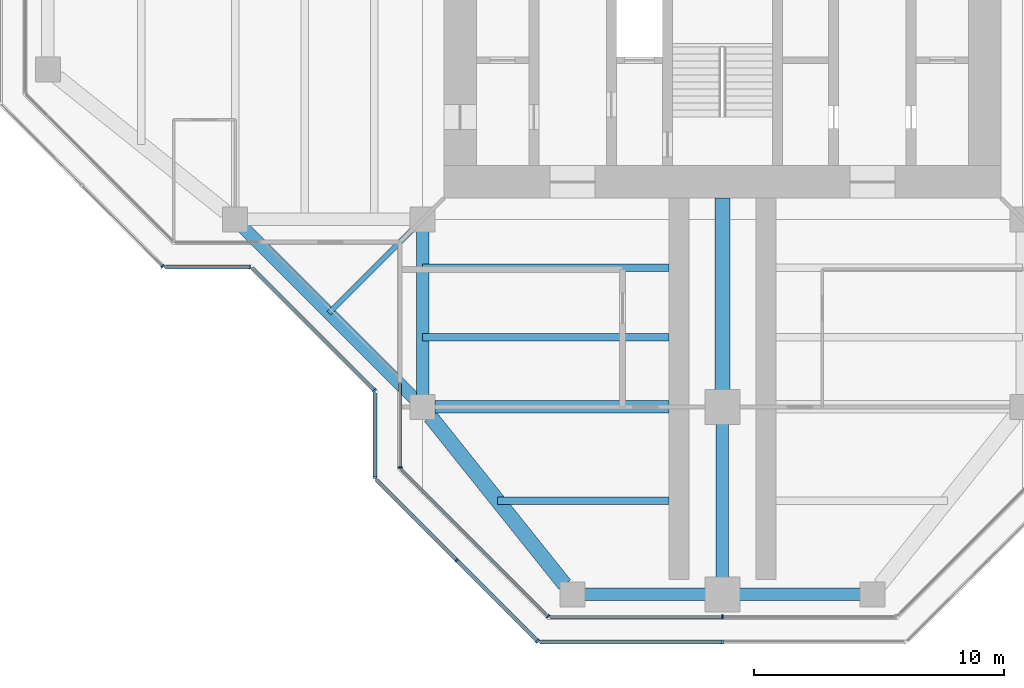
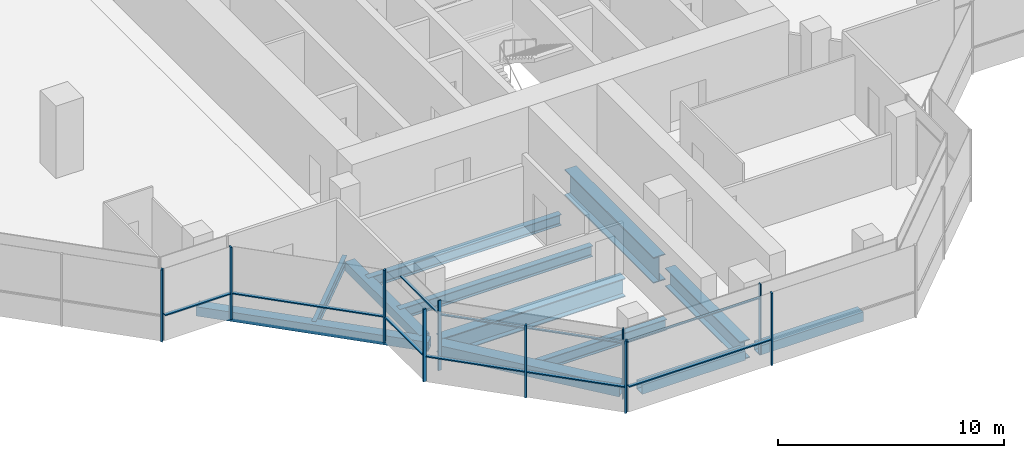
# One storey, part 2 of 15: 19 members, 12 beams, 9 elements without a shape of their own.
"""IFC4 building model written with IfcOpenShell, lengths in metres."""

from ifc_helpers import new_model, si_unit, direction, frame, origin, origin_2d, place, context, subcontext, project, spatial, rectangle, hollow_rectangle, i_section, extrude, material, material_profile, profile_set, type_object, element, aggregate, save


model = new_model("IFC4")

# Units and contexts
model_context = context("Model", 3, precision=1e-05, world=origin(), true_north=direction((0.0, 1.0)))
body_context = subcontext(model_context, "Body", "Model", "MODEL_VIEW")
ifc_project = project(units=[si_unit("LENGTHUNIT", "METRE"), si_unit("AREAUNIT", "SQUARE_METRE"), si_unit("VOLUMEUNIT", "CUBIC_METRE"), si_unit("PLANEANGLEUNIT", "RADIAN"), si_unit("MASSUNIT", "GRAM", prefix="KILO")], contexts=[model_context])

# Site, building, storey
site_placement = place(None, origin())
site = spatial("IfcSite", under=ifc_project, at=site_placement, CompositionType="ELEMENT")
building_placement = place(site_placement, origin())
building = spatial("IfcBuilding", under=site, at=building_placement, Name="Mizan Broadcast Tower", CompositionType="ELEMENT")
storey_placement = place(building_placement, frame((0.0, 0.0, 286.800048828125)))
storey = spatial("IfcBuildingStorey", under=building, at=storey_placement, Name="L68", CompositionType="ELEMENT", Elevation=286.800048828125)

# Beams
ifc_material_1 = material(Name="Steel S355", Category="steel")
ifc_material_profile_1 = material_profile(ifc_material_1, hollow_rectangle(XDim=0.5, YDim=0.5, WallThickness=0.030029296875, at=origin_2d()), Name="BOX 500x500x30")
ifc_profile_set_1 = profile_set([ifc_material_profile_1], Name="Steel S355")
beam_type_1 = type_object("IfcBeamType", Name="EDGE BEAM BOX 500x500x30", PredefinedType="SPANDREL", material=ifc_profile_set_1)
beam_1_placement = place(storey_placement, frame((-12.0, -12.449951171875, -0.380126953125), z_axis=(0.0, -1.0, 0.0), x_axis=(1.0, 0.0, 0.0)))
element("IfcBeam", 1, at=beam_1_placement, inside=storey, type_object=beam_type_1, Name="Edge beam BOX 500x500x30 L68 south arm", PredefinedType="SPANDREL", context=body_context, shape_type="SweptSolid", body=[
    extrude(hollow_rectangle(XDim=0.5, YDim=0.5, WallThickness=0.030029296875, at=origin_2d()), origin(), (0.0, 0.0, 1.0), 6.60009765625),
])
for number, where, z_axis, x_axis, name in (
    (2, (-5.639892578125, -27.0, -0.380126953125), (1.0, 0.0, 0.0), (0.0, 1.0, 0.0), "Edge beam BOX 500x500x30 L68 south arm"),
    (3, (5.639892578125, -27.0, -0.380126953125), (-1.0, 0.0, 0.0), (0.0, -1.0, 0.0), "Edge beam BOX 500x500x30 L68 south arm"),
):
    element("IfcBeam", number, at=place(storey_placement, frame(where, z_axis=z_axis, x_axis=x_axis)), inside=storey, type_object=beam_type_1, Name=name, PredefinedType="SPANDREL", context=body_context, shape_type="SweptSolid", body=[
        extrude(hollow_rectangle(XDim=0.5, YDim=0.5, WallThickness=0.030029296875, at=origin_2d()), origin(), (0.0, 0.0, 1.0), 5.27978515625),
    ])
beam_2_placement = place(storey_placement, frame((-19.5, -12.0, -0.380126953125), z_axis=(0.707106781187, -0.707106781187, 0.0), x_axis=(0.707106781187, 0.707106781187, 0.0)))
element("IfcBeam", 4, at=beam_2_placement, inside=storey, type_object=beam_type_1, Name="Winter garden edge beam L68 W", PredefinedType="SPANDREL", context=body_context, shape_type="SweptSolid", body=[
    extrude(hollow_rectangle(XDim=0.5, YDim=0.5, WallThickness=0.030029296875, at=origin_2d()), origin(), (0.0, 0.0, 1.0), 10.606689453125),
])
ifc_material_2 = material(Name="Steel S355", Category="steel")
ifc_material_profile_2 = material_profile(ifc_material_2, hollow_rectangle(XDim=0.60009765625, YDim=0.60009765625, WallThickness=0.030029296875, at=origin_2d()), Name="BOX 600x600x30")
ifc_profile_set_2 = profile_set([ifc_material_profile_2], Name="Steel S355")
beam_type_2 = type_object("IfcBeamType", Name="EDGE BEAM BOX 600x600x30", PredefinedType="SPANDREL", material=ifc_profile_set_2)
beam_3_placement = place(storey_placement, frame((-11.687744140625, -19.890380859375, -0.429931640625), z_axis=(0.62470196761, -0.780863273348, 0.0), x_axis=(0.780863273348, 0.62470196761, 0.0)))
element("IfcBeam", 5, at=beam_3_placement, inside=storey, type_object=beam_type_2, Name="Edge beam BOX 600x600x30 L68 south arm", PredefinedType="SPANDREL", context=body_context, shape_type="SweptSolid", body=[
    extrude(hollow_rectangle(XDim=0.60009765625, YDim=0.60009765625, WallThickness=0.030029296875, at=origin_2d()), origin(), (0.0, 0.0, 1.0), 8.60498046875),
])
ifc_material_3 = material(Name="Steel S460", Category="steel")
ifc_material_profile_3 = material_profile(ifc_material_3, i_section(OverallWidth=0.5, OverallDepth=1.0, WebThickness=0.02490234375, FlangeThickness=0.050048828125, at=origin_2d()), Name="WPG 1000x500")
ifc_profile_set_3 = profile_set([ifc_material_profile_3], Name="Steel S460")
beam_type_3 = type_object("IfcBeamType", Name="GIRDER WPG 1000x500", PredefinedType="BEAM", material=ifc_profile_set_3)
beam_4_placement = place(storey_placement, frame((0.0, -19.949951171875, -0.630126953125), z_axis=(0.0, -1.0, 0.0), x_axis=(1.0, 0.0, 0.0)))
element("IfcBeam", 6, at=beam_4_placement, inside=storey, type_object=beam_type_3, Name="Girder WPG 1000x500 L68 south arm", PredefinedType="BEAM", context=body_context, shape_type="SweptSolid", body=[
    extrude(i_section(OverallWidth=0.5, OverallDepth=1.0, WebThickness=0.02490234375, FlangeThickness=0.050048828125, at=origin_2d()), origin(), (0.0, 0.0, 1.0), 6.60009765625),
])
beam_5_placement = place(storey_placement, frame((-11.5, -19.5, -0.630126953125), z_axis=(1.0, 0.0, 0.0), x_axis=(0.0, 1.0, 0.0)))
element("IfcBeam", 7, at=beam_5_placement, inside=storey, type_object=beam_type_3, Name="Girder WPG 1000x500 L68 south arm", PredefinedType="BEAM", context=body_context, shape_type="SweptSolid", body=[
    extrude(i_section(OverallWidth=0.5, OverallDepth=1.0, WebThickness=0.02490234375, FlangeThickness=0.050048828125, at=origin_2d()), origin(), (0.0, 0.0, 1.0), 9.35009765625),
])
ifc_material_4 = material(Name="Steel S460", Category="steel")
ifc_material_profile_4 = material_profile(ifc_material_4, i_section(OverallWidth=0.60009765625, OverallDepth=1.39990234375, WebThickness=0.02490234375, FlangeThickness=0.06005859375, at=origin_2d()), Name="WPG 1400x600")
ifc_profile_set_4 = profile_set([ifc_material_profile_4], Name="Steel S460")
beam_type_4 = type_object("IfcBeamType", Name="GIRDER WPG 1400x600", PredefinedType="BEAM", material=ifc_profile_set_4)
beam_6_placement = place(storey_placement, frame((0.0, -11.14990234375, -0.830078125), z_axis=(0.0, -1.0, 0.0), x_axis=(1.0, 0.0, 0.0)))
element("IfcBeam", 8, at=beam_6_placement, inside=storey, type_object=beam_type_4, Name="Girder WPG 1400x600 L68 south arm", PredefinedType="BEAM", context=body_context, shape_type="SweptSolid", body=[
    extrude(i_section(OverallWidth=0.60009765625, OverallDepth=1.39990234375, WebThickness=0.02490234375, FlangeThickness=0.06005859375, at=origin_2d()), origin(), (0.0, 0.0, 1.0), 7.84912109375),
])

# Curtain wall, member
ifc_material_5 = material(Name="Aluminium framed glazing", Category="aluminium")
curtain_wall_type_1 = type_object("IfcCurtainWallType", Name="INNER SKIN TOP ZONE", PredefinedType="USERDEFINED", material=ifc_material_5)
curtain_wall_1_placement = place(storey_placement, origin())
curtain_wall_1 = element("IfcCurtainWall", 9, at=curtain_wall_1_placement, inside=storey, type_object=curtain_wall_type_1, Name="Inner skin top zone L68 S side", ObjectType="INNER SKIN TOP ZONE", PredefinedType="USERDEFINED")
ifc_material_6 = material(Name="Aluminium, pale anodised", Category="aluminium")
ifc_material_profile_5 = material_profile(ifc_material_6, rectangle(XDim=0.159912109375, YDim=0.06005859375, at=origin_2d()), Name="MULLION 160x60")
ifc_profile_set_5 = profile_set([ifc_material_profile_5], Name="Aluminium, pale anodised")
member_type_1 = type_object("IfcMemberType", Name="INNER SKIN MULLION 60x160", PredefinedType="MULLION", material=ifc_profile_set_5)
member_1_placement = place(storey_placement, frame((-12.89990234375, -21.928466796875, 0.0), z_axis=(0.0, 0.0, 1.0), x_axis=(1.0, 0.0, 0.0)))
member_1 = element("IfcMember", 10, at=member_1_placement, type_object=member_type_1, Name="Inner skin top zone L68 S side mullion 2", PredefinedType="MULLION", context=body_context, shape_type="SweptSolid", body=[
    extrude(rectangle(XDim=0.159912109375, YDim=0.06005859375, at=origin_2d()), origin(), (0.0, 0.0, 1.0), 3.77001953125),
])

curtain_wall_2_placement = place(storey_placement, origin())
curtain_wall_2 = element("IfcCurtainWall", 11, at=curtain_wall_2_placement, inside=storey, type_object=curtain_wall_type_1, Name="Inner skin top zone L68 S chamfer", ObjectType="INNER SKIN TOP ZONE", PredefinedType="USERDEFINED")
member_2_placement = place(storey_placement, frame((-6.979736328125, -27.87890625, 0.0), z_axis=(0.0, 0.0, 1.0), x_axis=(0.707106781187, 0.707106781187, 0.0)))
member_2 = element("IfcMember", 12, at=member_2_placement, type_object=member_type_1, Name="Inner skin top zone L68 S chamfer mullion 2", PredefinedType="MULLION", context=body_context, shape_type="SweptSolid", body=[
    extrude(rectangle(XDim=0.159912109375, YDim=0.06005859375, at=origin_2d()), origin(), (0.0, 0.0, 1.0), 3.77001953125),
])

curtain_wall_3_placement = place(storey_placement, origin())
curtain_wall_3 = element("IfcCurtainWall", 13, at=curtain_wall_3_placement, inside=storey, type_object=curtain_wall_type_1, Name="Inner skin top zone L68 S end", ObjectType="INNER SKIN TOP ZONE", PredefinedType="USERDEFINED")
member_3_placement = place(storey_placement, frame((0.0, -27.89990234375, 0.0), z_axis=(0.0, 0.0, 1.0), x_axis=(0.0, 1.0, 0.0)))
member_3 = element("IfcMember", 14, at=member_3_placement, type_object=member_type_1, Name="Inner skin top zone L68 S end mullion 2", PredefinedType="MULLION", context=body_context, shape_type="SweptSolid", body=[
    extrude(rectangle(XDim=0.159912109375, YDim=0.06005859375, at=origin_2d()), origin(), (0.0, 0.0, 1.0), 3.77001953125),
])

# Member
ifc_material_7 = material(Name="Aluminium, pale anodised", Category="aluminium")
ifc_material_profile_6 = material_profile(ifc_material_7, rectangle(XDim=0.1201171875, YDim=0.06005859375, at=origin_2d()), Name="TRANSOM 120x60")
ifc_profile_set_6 = profile_set([ifc_material_profile_6], Name="Aluminium, pale anodised")
member_type_2 = type_object("IfcMemberType", Name="INNER SKIN TRANSOM 60x120", PredefinedType="USERDEFINED", material=ifc_profile_set_6)
member_4_placement = place(storey_placement, frame((-12.89990234375, -18.56005859375, 3.030029296875), z_axis=(0.0, -1.0, 0.0), x_axis=(1.0, 0.0, 0.0)))
member_4 = element("IfcMember", 15, at=member_4_placement, type_object=member_type_2, Name="Inner skin top zone L68 S side transom 1.1", ObjectType="TRANSOM", PredefinedType="USERDEFINED", context=body_context, shape_type="SweptSolid", body=[
    extrude(rectangle(XDim=0.1201171875, YDim=0.06005859375, at=origin_2d()), origin(), (0.0, 0.0, 1.0), 3.338623046875),
])

aggregate(curtain_wall_1, [member_1, member_4])

member_5_placement = place(storey_placement, frame((-12.857666015625, -22.0009765625, 3.030029296875), z_axis=(0.707106781187, -0.707106781187, 0.0), x_axis=(0.707106781187, 0.707106781187, 0.0)))
member_5 = element("IfcMember", 16, at=member_5_placement, type_object=member_type_2, Name="Inner skin top zone L68 S chamfer transom 1.1", ObjectType="TRANSOM", PredefinedType="USERDEFINED", context=body_context, shape_type="SweptSolid", body=[
    extrude(rectangle(XDim=0.1201171875, YDim=0.06005859375, at=origin_2d()), origin(), (0.0, 0.0, 1.0), 8.28271484375),
])

aggregate(curtain_wall_2, [member_2, member_5])

member_6_placement = place(storey_placement, frame((-6.898681640625, -27.89990234375, 3.030029296875), z_axis=(1.0, 0.0, 0.0), x_axis=(0.0, 1.0, 0.0)))
member_6 = element("IfcMember", 17, at=member_6_placement, type_object=member_type_2, Name="Inner skin top zone L68 S end transom 1.1", ObjectType="TRANSOM", PredefinedType="USERDEFINED", context=body_context, shape_type="SweptSolid", body=[
    extrude(rectangle(XDim=0.1201171875, YDim=0.06005859375, at=origin_2d()), origin(), (0.0, 0.0, 1.0), 6.86865234375),
])

aggregate(curtain_wall_3, [member_3, member_6])

# Curtain wall, member
ifc_material_8 = material(Name="Aluminium framed glazing", Category="aluminium")
curtain_wall_type_2 = type_object("IfcCurtainWallType", Name="OUTER SKIN", PredefinedType="USERDEFINED", material=ifc_material_8)
curtain_wall_4_placement = place(storey_placement, origin())
curtain_wall_4 = element("IfcCurtainWall", 18, at=curtain_wall_4_placement, inside=storey, type_object=curtain_wall_type_2, Name="Outer skin L68 W chamfer", ObjectType="OUTER SKIN", PredefinedType="USERDEFINED")
ifc_material_9 = material(Name="Aluminium, pale anodised", Category="aluminium")
ifc_material_profile_7 = material_profile(ifc_material_9, rectangle(XDim=0.159912109375, YDim=0.080078125, at=origin_2d()), Name="MULLION 160x80")
ifc_profile_set_7 = profile_set([ifc_material_profile_7], Name="Aluminium, pale anodised")
member_type_3 = type_object("IfcMemberType", Name="OUTER SKIN MULLION 80x160", PredefinedType="MULLION", material=ifc_profile_set_7)
member_7_placement = place(storey_placement, frame((-22.401123046875, -13.871826171875, 0.0), z_axis=(0.0, 0.0, 1.0), x_axis=(0.707106781187, 0.707106781187, 0.0)))
member_7 = element("IfcMember", 19, at=member_7_placement, type_object=member_type_3, Name="Outer skin L68 W chamfer mullion 3", PredefinedType="MULLION", context=body_context, shape_type="SweptSolid", body=[
    extrude(rectangle(XDim=0.159912109375, YDim=0.080078125, at=origin_2d()), origin(), (0.0, 0.0, 1.0), 3.89990234375),
])
aggregate(curtain_wall_4, [member_7])

curtain_wall_5_placement = place(storey_placement, origin())
curtain_wall_5 = element("IfcCurtainWall", 20, at=curtain_wall_5_placement, inside=storey, type_object=curtain_wall_type_2, Name="Outer skin L68 W side", ObjectType="OUTER SKIN", PredefinedType="USERDEFINED")
member_8_placement = place(storey_placement, frame((-18.912841796875, -13.89990234375, 0.0), z_axis=(0.0, 0.0, 1.0), x_axis=(0.0, 1.0, 0.0)))
member_8 = element("IfcMember", 21, at=member_8_placement, type_object=member_type_3, Name="Outer skin L68 W side mullion 2", PredefinedType="MULLION", context=body_context, shape_type="SweptSolid", body=[
    extrude(rectangle(XDim=0.159912109375, YDim=0.080078125, at=origin_2d()), origin(), (0.0, 0.0, 1.0), 3.89990234375),
])

curtain_wall_6_placement = place(storey_placement, origin())
curtain_wall_6 = element("IfcCurtainWall", 22, at=curtain_wall_6_placement, inside=storey, type_object=curtain_wall_type_2, Name="Outer skin L68 W chamfer", ObjectType="OUTER SKIN", PredefinedType="USERDEFINED")
member_9_placement = place(storey_placement, frame((-13.92822265625, -18.844482421875, 0.0), z_axis=(0.0, 0.0, 1.0), x_axis=(0.707106781187, 0.707106781187, 0.0)))
member_9 = element("IfcMember", 23, at=member_9_placement, type_object=member_type_3, Name="Outer skin L68 W chamfer mullion 2", PredefinedType="MULLION", context=body_context, shape_type="SweptSolid", body=[
    extrude(rectangle(XDim=0.159912109375, YDim=0.080078125, at=origin_2d()), origin(), (0.0, 0.0, 1.0), 3.89990234375),
])

curtain_wall_7_placement = place(storey_placement, origin())
curtain_wall_7 = element("IfcCurtainWall", 24, at=curtain_wall_7_placement, inside=storey, type_object=curtain_wall_type_2, Name="Outer skin L68 S side", ObjectType="OUTER SKIN", PredefinedType="USERDEFINED")
member_10_placement = place(storey_placement, frame((-13.89990234375, -22.332763671875, 0.0), z_axis=(0.0, 0.0, 1.0), x_axis=(1.0, 0.0, 0.0)))
member_10 = element("IfcMember", 25, at=member_10_placement, type_object=member_type_3, Name="Outer skin L68 S side mullion 2", PredefinedType="MULLION", context=body_context, shape_type="SweptSolid", body=[
    extrude(rectangle(XDim=0.159912109375, YDim=0.080078125, at=origin_2d()), origin(), (0.0, 0.0, 1.0), 3.89990234375),
])

# Curtain wall, members
curtain_wall_8_placement = place(storey_placement, origin())
curtain_wall_8 = element("IfcCurtainWall", 26, at=curtain_wall_8_placement, inside=storey, type_object=curtain_wall_type_2, Name="Outer skin L68 S chamfer", ObjectType="OUTER SKIN", PredefinedType="USERDEFINED")
member_11_placement = place(storey_placement, frame((-10.636474609375, -25.636474609375, 0.0), z_axis=(0.0, 0.0, 1.0), x_axis=(0.707106781187, 0.707106781187, 0.0)))
member_11 = element("IfcMember", 27, at=member_11_placement, type_object=member_type_3, Name="Outer skin L68 S chamfer mullion 2", PredefinedType="MULLION", context=body_context, shape_type="SweptSolid", body=[
    extrude(rectangle(XDim=0.159912109375, YDim=0.080078125, at=origin_2d()), origin(), (0.0, 0.0, 1.0), 3.89990234375),
])
member_12_placement = place(storey_placement, frame((-7.401123046875, -28.871826171875, 0.0), z_axis=(0.0, 0.0, 1.0), x_axis=(0.707106781187, 0.707106781187, 0.0)))
member_12 = element("IfcMember", 28, at=member_12_placement, type_object=member_type_3, Name="Outer skin L68 S chamfer mullion 3", PredefinedType="MULLION", context=body_context, shape_type="SweptSolid", body=[
    extrude(rectangle(XDim=0.159912109375, YDim=0.080078125, at=origin_2d()), origin(), (0.0, 0.0, 1.0), 3.89990234375),
])

# Curtain wall, member
curtain_wall_9_placement = place(storey_placement, origin())
curtain_wall_9 = element("IfcCurtainWall", 29, at=curtain_wall_9_placement, inside=storey, type_object=curtain_wall_type_2, Name="Outer skin L68 S end", ObjectType="OUTER SKIN", PredefinedType="USERDEFINED")
member_13_placement = place(storey_placement, frame((0.0, -28.89990234375, 0.0), z_axis=(0.0, 0.0, 1.0), x_axis=(0.0, 1.0, 0.0)))
member_13 = element("IfcMember", 30, at=member_13_placement, type_object=member_type_3, Name="Outer skin L68 S end mullion 2", PredefinedType="MULLION", context=body_context, shape_type="SweptSolid", body=[
    extrude(rectangle(XDim=0.159912109375, YDim=0.080078125, at=origin_2d()), origin(), (0.0, 0.0, 1.0), 3.89990234375),
])

# Member
ifc_material_10 = material(Name="Aluminium, pale anodised", Category="aluminium")
ifc_material_profile_8 = material_profile(ifc_material_10, rectangle(XDim=0.159912109375, YDim=0.06005859375, at=origin_2d()), Name="TRANSOM 160x60")
ifc_profile_set_8 = profile_set([ifc_material_profile_8], Name="Aluminium, pale anodised")
member_type_4 = type_object("IfcMemberType", Name="OUTER SKIN TRANSOM 60x160", PredefinedType="USERDEFINED", material=ifc_profile_set_8)
member_14_placement = place(storey_placement, frame((-22.292724609375, -13.89990234375, 1.39990234375), z_axis=(1.0, 0.0, 0.0), x_axis=(0.0, 1.0, 0.0)))
member_14 = element("IfcMember", 31, at=member_14_placement, type_object=member_type_4, Name="Outer skin L68 W side transom 1.1", ObjectType="TRANSOM", PredefinedType="USERDEFINED", context=body_context, shape_type="SweptSolid", body=[
    extrude(rectangle(XDim=0.159912109375, YDim=0.06005859375, at=origin_2d()), origin(), (0.0, 0.0, 1.0), 3.33984375),
])

aggregate(curtain_wall_5, [member_8, member_14])

member_15_placement = place(storey_placement, frame((-18.816162109375, -13.95654296875, 1.39990234375), z_axis=(0.707106781187, -0.707106781187, 0.0), x_axis=(0.707106781187, 0.707106781187, 0.0)))
member_15 = element("IfcMember", 32, at=member_15_placement, type_object=member_type_4, Name="Outer skin L68 W chamfer transom 1.1", ObjectType="TRANSOM", PredefinedType="USERDEFINED", context=body_context, shape_type="SweptSolid", body=[
    extrude(rectangle(XDim=0.159912109375, YDim=0.06005859375, at=origin_2d()), origin(), (0.0, 0.0, 1.0), 6.87255859375),
])

aggregate(curtain_wall_6, [member_9, member_15])

member_16_placement = place(storey_placement, frame((-13.89990234375, -18.952880859375, 1.39990234375), z_axis=(0.0, -1.0, 0.0), x_axis=(1.0, 0.0, 0.0)))
member_16 = element("IfcMember", 33, at=member_16_placement, type_object=member_type_4, Name="Outer skin L68 S side transom 1.1", ObjectType="TRANSOM", PredefinedType="USERDEFINED", context=body_context, shape_type="SweptSolid", body=[
    extrude(rectangle(XDim=0.159912109375, YDim=0.06005859375, at=origin_2d()), origin(), (0.0, 0.0, 1.0), 3.33984375),
])

aggregate(curtain_wall_7, [member_10, member_16])

member_17_placement = place(storey_placement, frame((-13.843505859375, -22.429443359375, 1.39990234375), z_axis=(0.707106781187, -0.707106781187, 0.0), x_axis=(0.707106781187, 0.707106781187, 0.0)))
member_17 = element("IfcMember", 34, at=member_17_placement, type_object=member_type_4, Name="Outer skin L68 S chamfer transom 1.1", ObjectType="TRANSOM", PredefinedType="USERDEFINED", context=body_context, shape_type="SweptSolid", body=[
    extrude(rectangle(XDim=0.159912109375, YDim=0.06005859375, at=origin_2d()), origin(), (0.0, 0.0, 1.0), 4.495361328125),
])

member_18_placement = place(storey_placement, frame((-10.608154296875, -25.664794921875, 1.39990234375), z_axis=(0.707106781187, -0.707106781187, 0.0), x_axis=(0.707106781187, 0.707106781187, 0.0)))
member_18 = element("IfcMember", 35, at=member_18_placement, type_object=member_type_4, Name="Outer skin L68 S chamfer transom 2.1", ObjectType="TRANSOM", PredefinedType="USERDEFINED", context=body_context, shape_type="SweptSolid", body=[
    extrude(rectangle(XDim=0.159912109375, YDim=0.06005859375, at=origin_2d()), origin(), (0.0, 0.0, 1.0), 4.495361328125),
])

aggregate(curtain_wall_8, [member_11, member_12, member_17, member_18])

member_19_placement = place(storey_placement, frame((-7.292724609375, -28.89990234375, 1.39990234375), z_axis=(1.0, 0.0, 0.0), x_axis=(0.0, 1.0, 0.0)))
member_19 = element("IfcMember", 36, at=member_19_placement, type_object=member_type_4, Name="Outer skin L68 S end transom 1.1", ObjectType="TRANSOM", PredefinedType="USERDEFINED", context=body_context, shape_type="SweptSolid", body=[
    extrude(rectangle(XDim=0.159912109375, YDim=0.06005859375, at=origin_2d()), origin(), (0.0, 0.0, 1.0), 7.252685546875),
])

aggregate(curtain_wall_9, [member_13, member_19])

# Beams
ifc_material_11 = material(Name="Steel S355", Category="steel")
ifc_material_profile_9 = material_profile(ifc_material_11, i_section(OverallWidth=0.300048828125, OverallDepth=0.590087890625, WebThickness=0.012939453125, FlangeThickness=0.02490234375, FilletRadius=0.027099609375, at=origin_2d()), Name="HEA 600")
ifc_profile_set_9 = profile_set([ifc_material_profile_9], Name="Steel S355")
beam_type_5 = type_object("IfcBeamType", Name="SECONDARY BEAM HEA 600", PredefinedType="JOIST", material=ifc_profile_set_9)
for number, where, z_axis, x_axis, name in (
    (37, (-12.0, -13.933349609375, -0.425048828125), (1.0, 0.0, 0.0), (0.0, 1.0, 0.0), "Secondary beam HEA 600 L68 south arm"),
    (38, (-12.0, -16.716552734375, -0.425048828125), (1.0, 0.0, 0.0), (0.0, 1.0, 0.0), "Secondary beam HEA 600 L68 south arm"),
):
    element("IfcBeam", number, at=place(storey_placement, frame(where, z_axis=z_axis, x_axis=x_axis)), inside=storey, type_object=beam_type_5, Name=name, PredefinedType="JOIST", context=body_context, shape_type="SweptSolid", body=[
        extrude(i_section(OverallWidth=0.300048828125, OverallDepth=0.590087890625, WebThickness=0.012939453125, FlangeThickness=0.02490234375, FilletRadius=0.027099609375, at=origin_2d()), origin(), (0.0, 0.0, 1.0), 9.85009765625),
    ])
beam_7_placement = place(storey_placement, frame((-9.0, -23.25, -0.425048828125), z_axis=(1.0, 0.0, 0.0), x_axis=(0.0, 1.0, 0.0)))
element("IfcBeam", 39, at=beam_7_placement, inside=storey, type_object=beam_type_5, Name="Secondary beam HEA 600 L68 south arm", PredefinedType="JOIST", context=body_context, shape_type="SweptSolid", body=[
    extrude(i_section(OverallWidth=0.300048828125, OverallDepth=0.590087890625, WebThickness=0.012939453125, FlangeThickness=0.02490234375, FilletRadius=0.027099609375, at=origin_2d()), origin(), (0.0, 0.0, 1.0), 6.85009765625),
])
ifc_material_12 = material(Name="Steel S355", Category="steel")
ifc_material_profile_10 = material_profile(ifc_material_12, i_section(OverallWidth=0.2099609375, OverallDepth=0.550048828125, WebThickness=0.010986328125, FlangeThickness=0.01708984375, FilletRadius=0.02392578125, at=origin_2d()), Name="IPE 550")
ifc_profile_set_10 = profile_set([ifc_material_profile_10], Name="Steel S355")
beam_type_6 = type_object("IfcBeamType", Name="SECONDARY BEAM IPE 550", PredefinedType="JOIST", material=ifc_profile_set_10)
beam_8_placement = place(storey_placement, frame((-12.0, -12.0, -0.405029296875), z_axis=(-0.707106781187, -0.707106781187, 0.0), x_axis=(0.707106781187, -0.707106781187, 0.0)))
element("IfcBeam", 40, at=beam_8_placement, inside=storey, type_object=beam_type_6, Name="Winter garden beam L68 W", PredefinedType="JOIST", context=body_context, shape_type="SweptSolid", body=[
    extrude(i_section(OverallWidth=0.2099609375, OverallDepth=0.550048828125, WebThickness=0.010986328125, FlangeThickness=0.01708984375, FilletRadius=0.02392578125, at=origin_2d()), origin(), (0.0, 0.0, 1.0), 5.30322265625),
])

save(model, "model.ifc")
